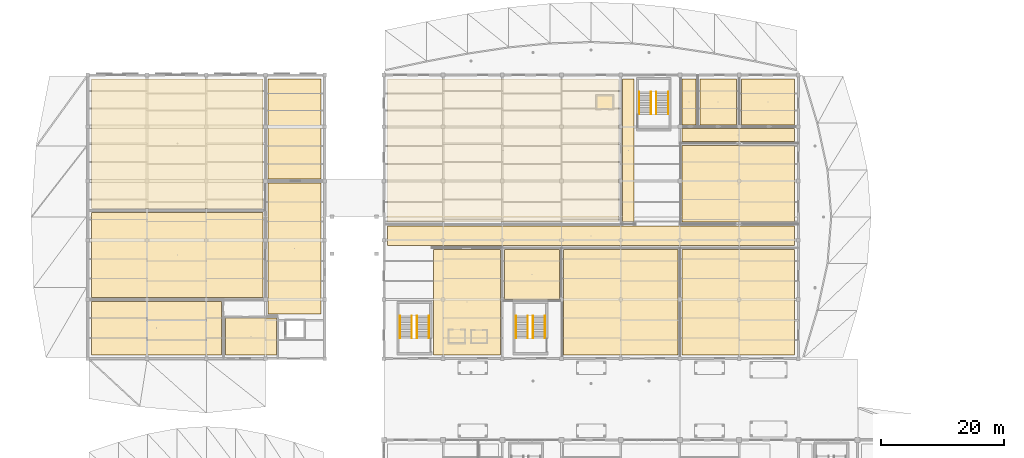
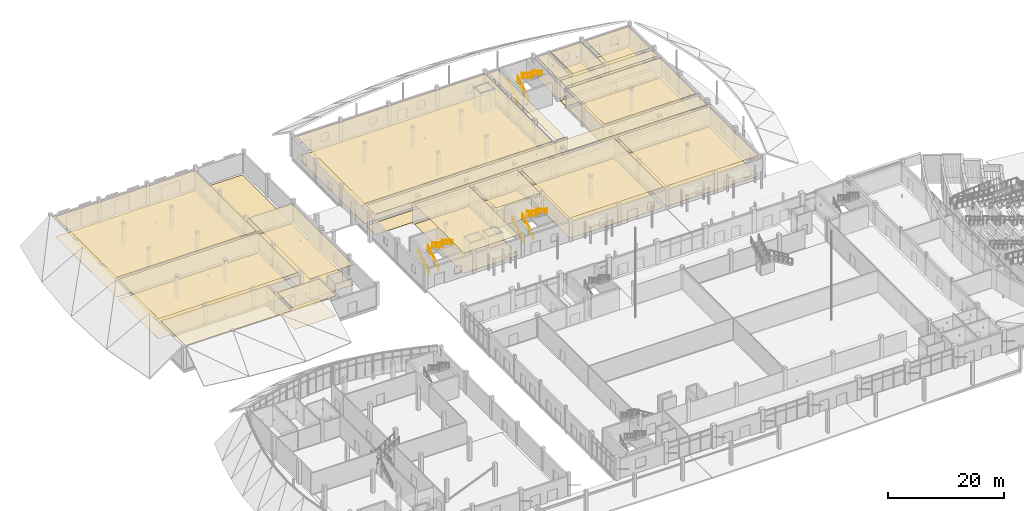
# One storey, part 109 of 116: 34 coverings, 12 railings, 3 elements without a shape of their own.
"""IFC4 building model written with IfcOpenShell, lengths in metres."""

import ifcopenshell
import ifcopenshell.guid

model = None  # the IFC model being written
_history = None  # IfcOwnerHistory: only IFC2X3 demands one
_inside = {}  # id of a spatial element -> (the spatial element, [elements in it])
_under = {}  # id of a project, library or spatial element -> (it, [spatial elements below it])
_declared = {}  # id of a project -> (the project, [libraries it declares])
_typed = {}  # id of a type object -> (the type object, [elements of that type])
_made_of = {}  # id of a material, layer set ... -> (it, [elements and type objects made of it])


def new_model(schema):
    """Start an empty IFC model of exactly this schema.

    Asked for "IFC4X3", IfcOpenShell would pick the latest addendum, in which some entities
    have other attributes; the version numbers below select the first issue.
    IFC2X3 requires an IfcOwnerHistory on every rooted entity: one is made here for all.
    """
    global model, _history
    if schema == "IFC4X3":
        model = ifcopenshell.file(schema_version=(4, 3, 0, 0))
    else:
        model = ifcopenshell.file(schema=schema)
    _inside.clear()
    _under.clear()
    _declared.clear()
    _typed.clear()
    _made_of.clear()
    _history = None
    if model.schema == "IFC2X3":
        org = make("IfcOrganization", Name="unknown")
        user = make(
            "IfcPersonAndOrganization",
            ThePerson=make("IfcPerson", FamilyName="unknown"),
            TheOrganization=org,
        )
        app = make(
            "IfcApplication",
            ApplicationDeveloper=org,
            Version="unknown",
            ApplicationFullName="unknown",
            ApplicationIdentifier="unknown",
        )
        _history = make(
            "IfcOwnerHistory",
            OwningUser=user,
            OwningApplication=app,
            ChangeAction="ADDED",
            CreationDate=0,
        )
    return model


def make(cls, **values):
    """One entity of the class cls with the attributes given. An attribute that is None is left unset."""
    return model.create_entity(
        cls, **{name: value for name, value in values.items() if value is not None}
    )


def rooted(cls, **values):
    """An entity with a GlobalId (a new one), such as an element, a storey or a relation."""
    return make(cls, GlobalId=ifcopenshell.guid.new(), OwnerHistory=_history, **values)


def si_unit(unit_type, name, prefix=None):
    """IfcSIUnit, for example si_unit("LENGTHUNIT", "METRE", prefix="MILLI")."""
    return make("IfcSIUnit", UnitType=unit_type, Prefix=prefix, Name=name)


def assignment(units):
    """IfcUnitAssignment: the units of a project."""
    return None if units is None else make("IfcUnitAssignment", Units=units)


def point(xyz):
    """IfcCartesianPoint."""
    return None if xyz is None else make("IfcCartesianPoint", Coordinates=xyz)


def direction(xyz):
    """IfcDirection."""
    return None if xyz is None else make("IfcDirection", DirectionRatios=xyz)


def frame(location, z_axis=None, x_axis=None):
    """IfcAxis2Placement3D, a coordinate frame: its origin and axes. An axis left out is left unset."""
    return make(
        "IfcAxis2Placement3D",
        Location=point(location),
        Axis=direction(z_axis),
        RefDirection=direction(x_axis),
    )


def frame_2d(location, x_axis=None):
    """IfcAxis2Placement2D, a coordinate frame in the plane: its origin and x axis."""
    return make(
        "IfcAxis2Placement2D", Location=point(location), RefDirection=direction(x_axis)
    )


def origin():
    """The frame at (0, 0, 0) with its axes left unset."""
    return frame((0.0, 0.0, 0.0))


def origin_2d():
    """The frame at (0, 0) in the plane with its x axis left unset."""
    return frame_2d((0.0, 0.0))


def place(relative_to, where):
    """IfcLocalPlacement: puts the frame where relative to a parent placement (None: the world)."""
    return make(
        "IfcLocalPlacement", PlacementRelTo=relative_to, RelativePlacement=where
    )


def context(
    kind, dimensions, precision=None, world=None, true_north=None, identifier=None
):
    """IfcGeometricRepresentationContext, for example the 3D "Model" context."""
    return make(
        "IfcGeometricRepresentationContext",
        ContextIdentifier=identifier,
        ContextType=kind,
        CoordinateSpaceDimension=dimensions,
        Precision=precision,
        WorldCoordinateSystem=world,
        TrueNorth=true_north,
    )


def subcontext(parent, identifier, kind, view, scale=None):
    """IfcGeometricRepresentationSubContext, for example "Body" below "Model"."""
    return make(
        "IfcGeometricRepresentationSubContext",
        ContextIdentifier=identifier,
        ContextType=kind,
        ParentContext=parent,
        TargetScale=scale,
        TargetView=view,
    )


def project(units=None, contexts=None):
    """IfcProject with its units and contexts."""
    return rooted(
        "IfcProject",
        Name="project",
        RepresentationContexts=contexts,
        UnitsInContext=assignment(units),
    )


def spatial(cls, under=None, at=None, **own):
    """A site, building, storey or space (cls), placed at a placement, below another one or the project."""
    s = rooted(cls, ObjectPlacement=at, **own)
    if under is not None:
        _under.setdefault(under.id(), (under, []))[1].append(s)
    return s


def polyline(points):
    """IfcPolyline through the points."""
    return make("IfcPolyline", Points=[point(p) for p in points])


def profile(cls, at=None, kind="AREA", **sizes):
    """A parametric profile (cls). Its sizes go by their IFC names, for example OverallWidth=200.0."""
    return make(cls, ProfileType=kind, Position=at, **sizes)


def circle(**sizes):
    """IfcCircleProfileDef."""
    return profile("IfcCircleProfileDef", **sizes)


def outline(outer, holes=None, kind="AREA"):
    """IfcArbitraryClosedProfileDef: a profile drawn as a closed curve; with holes, ...WithVoids."""
    if holes is None:
        return make("IfcArbitraryClosedProfileDef", ProfileType=kind, OuterCurve=outer)
    return make(
        "IfcArbitraryProfileDefWithVoids",
        ProfileType=kind,
        OuterCurve=outer,
        InnerCurves=holes,
    )


def extrude(swept, where, along, depth):
    """IfcExtrudedAreaSolid: the profile swept, set in the frame where, extruded along a direction by depth."""
    return make(
        "IfcExtrudedAreaSolid",
        SweptArea=swept,
        Position=where,
        ExtrudedDirection=direction(along),
        Depth=depth,
    )


def shape(context_of_items, identifier, shape_type, items):
    """IfcShapeRepresentation: the items that make up one representation, for example the "Body"."""
    return make(
        "IfcShapeRepresentation",
        ContextOfItems=context_of_items,
        RepresentationIdentifier=identifier,
        RepresentationType=shape_type,
        Items=items,
    )


def material(Name=None, Category=None):
    """IfcMaterial."""
    return make("IfcMaterial", Name=Name, Category=Category)


def layer(
    of_material, thickness, ventilated=None, Name=None, Category=None, Priority=None
):
    """IfcMaterialLayer: one layer of a wall or slab, of a material (None: an air gap)."""
    return make(
        "IfcMaterialLayer",
        Material=of_material,
        LayerThickness=thickness,
        IsVentilated=ventilated,
        Name=Name,
        Category=Category,
        Priority=Priority,
    )


def layer_set(layers, Name=None):
    """IfcMaterialLayerSet."""
    return make("IfcMaterialLayerSet", MaterialLayers=layers, LayerSetName=Name)


def made_of(thing, what):
    """Note that an element or type object is made of a material, layer set ...; save() writes the relation."""
    if what is not None:
        _made_of.setdefault(what.id(), (what, []))[1].append(thing)
    return thing


def type_object(cls, material=None, **own):
    """A type object (cls), such as IfcWallType, which elements share."""
    return made_of(rooted(cls, **own), material)


def element(
    cls,
    number,
    at=None,
    inside=None,
    cuts=None,
    type_object=None,
    material=None,
    context=None,
    identifier="Body",
    shape_type=None,
    held_by="IfcProductDefinitionShape",
    body=None,
    shapes=None,
    **own,
):
    """One element of the class cls, such as IfcWall. Its Tag is "e" and its number.

    at: its placement. inside: the storey or other place that contains it. cuts: it is an
    opening in that element (IfcRelVoidsElement). A single representation is given by context,
    identifier, shape_type and body (its items); several are given by shapes. held_by: the class
    of the entity that holds the representations. save() writes the other relations.
    """
    e = rooted(cls, Tag="e%d" % number, ObjectPlacement=at, **own)
    if body is not None:
        shapes = [shape(context, identifier, shape_type, body)]
    if shapes is not None:
        e.Representation = make(held_by, Representations=shapes)
    if inside is not None:
        _inside.setdefault(inside.id(), (inside, []))[1].append(e)
    if cuts is not None:
        rooted(
            "IfcRelVoidsElement", RelatingBuildingElement=cuts, RelatedOpeningElement=e
        )
    if type_object is not None:
        _typed.setdefault(type_object.id(), (type_object, []))[1].append(e)
    return made_of(e, material)


def aggregate(whole, parts):
    """IfcRelAggregates: a whole, such as a stair, and the parts it consists of."""
    return rooted("IfcRelAggregates", RelatingObject=whole, RelatedObjects=parts)


def save(model, path):
    """Write the relations noted so far, then the file.

    IfcRelAggregates (storeys below a building ...), IfcRelContainedInSpatialStructure (elements
    in a storey), IfcRelDefinesByType, IfcRelAssociatesMaterial and IfcRelDeclares: one each for
    every whole, place, type object, material and project.
    """
    for whole, parts in _under.values():
        aggregate(whole, parts)
    for where, things in _inside.values():
        rooted(
            "IfcRelContainedInSpatialStructure",
            RelatedElements=things,
            RelatingStructure=where,
        )
    for kind, things in _typed.values():
        rooted("IfcRelDefinesByType", RelatedObjects=things, RelatingType=kind)
    for what, things in _made_of.values():
        rooted("IfcRelAssociatesMaterial", RelatedObjects=things, RelatingMaterial=what)
    for by, libraries in _declared.values():
        rooted("IfcRelDeclares", RelatingContext=by, RelatedDefinitions=libraries)
    model.write(path)


model = new_model("IFC4")

# Units and contexts
model_context = context("Model", 3, precision=1e-05, world=origin(), true_north=direction((0.0, 1.0)))
body_context = subcontext(model_context, "Body", "Model", "MODEL_VIEW")
ifc_project = project(units=[si_unit("LENGTHUNIT", "METRE"), si_unit("AREAUNIT", "SQUARE_METRE"), si_unit("VOLUMEUNIT", "CUBIC_METRE"), si_unit("PLANEANGLEUNIT", "RADIAN"), si_unit("MASSUNIT", "GRAM", prefix="KILO")], contexts=[model_context])

# Site, building, storey
site_placement = place(None, origin())
site = spatial("IfcSite", under=ifc_project, at=site_placement, CompositionType="ELEMENT")
building_placement = place(site_placement, origin())
building = spatial("IfcBuilding", under=site, at=building_placement, Name="Chalmorin Arch Market", CompositionType="ELEMENT")
storey_placement = place(building_placement, origin())
storey = spatial("IfcBuildingStorey", under=building, at=storey_placement, Name="L00", CompositionType="ELEMENT", Elevation=0.0)

# Coverings
ifc_material_1 = material(Name="Mineral Fibre Acoustic Tile")
ifc_layer_1 = layer(ifc_material_1, 0.044921875)
ifc_layer_set_1 = layer_set([ifc_layer_1], Name="Mineral Fibre Acoustic Tile")
covering_type_1 = type_object("IfcCoveringType", Name="AcousticBaffleCeiling-45", PredefinedType="CEILING", material=ifc_layer_set_1)
covering_1_placement = place(storey_placement, frame((0.0, 0.0, 4.18505859375)))
element("IfcCovering", 1, at=covering_1_placement, inside=storey, type_object=covering_type_1, Name="CLG-01-106", PredefinedType="CEILING", context=body_context, shape_type="SweptSolid", body=[
    extrude(outline(polyline([(0.6201171875, 96.320068359375), (28.3798828125, 96.320068359375), (28.3798828125, 117.3798828125), (0.6201171875, 117.3798828125), (0.6201171875, 96.320068359375)])), origin(), (0.0, 0.0, 1.0), 0.044921875),
])
covering_2_placement = place(storey_placement, frame((0.0, 0.0, 4.18505859375)))
element("IfcCovering", 2, at=covering_2_placement, inside=storey, type_object=covering_type_1, Name="CLG-01-108", PredefinedType="CEILING", context=body_context, shape_type="SweptSolid", body=[
    extrude(outline(polyline([(0.6201171875, 81.919921875), (28.3798828125, 81.919921875), (28.3798828125, 95.679931640625), (0.6201171875, 95.679931640625), (0.6201171875, 81.919921875)])), origin(), (0.0, 0.0, 1.0), 0.044921875),
])
covering_3_placement = place(storey_placement, frame((0.0, 0.0, 4.18505859375)))
element("IfcCovering", 3, at=covering_3_placement, inside=storey, type_object=covering_type_1, Name="CLG-01-110", PredefinedType="CEILING", context=body_context, shape_type="SweptSolid", body=[
    extrude(outline(polyline([(0.6201171875, 72.6201171875), (21.679931640625, 72.6201171875), (21.679931640625, 81.280029296875), (0.6201171875, 81.280029296875), (0.6201171875, 72.6201171875)])), origin(), (0.0, 0.0, 1.0), 0.044921875),
])
covering_4_placement = place(storey_placement, frame((0.0, 0.0, 4.18505859375)))
element("IfcCovering", 4, at=covering_4_placement, inside=storey, type_object=covering_type_1, Name="CLG-01-112", PredefinedType="CEILING", context=body_context, shape_type="SweptSolid", body=[
    extrude(outline(polyline([(22.320068359375, 72.6201171875), (30.580078125, 72.6201171875), (30.580078125, 78.580078125), (22.320068359375, 78.580078125), (22.320068359375, 72.6201171875)])), origin(), (0.0, 0.0, 1.0), 0.044921875),
])
covering_5_placement = place(storey_placement, frame((0.0, 0.0, 4.18505859375)))
element("IfcCovering", 5, at=covering_5_placement, inside=storey, type_object=covering_type_1, Name="CLG-01-115", PredefinedType="CEILING", context=body_context, shape_type="SweptSolid", body=[
    extrude(outline(polyline([(29.219970703125, 79.219970703125), (37.780029296875, 79.219970703125), (37.780029296875, 100.47998046875), (29.219970703125, 100.47998046875), (29.219970703125, 79.219970703125)])), origin(), (0.0, 0.0, 1.0), 0.044921875),
])
covering_6_placement = place(storey_placement, frame((0.0, 0.0, 4.235107421875)))
element("IfcCovering", 6, at=covering_6_placement, inside=storey, type_object=covering_type_1, Name="CLG-01-117", PredefinedType="CEILING", context=body_context, shape_type="SweptSolid", body=[
    extrude(outline(polyline([(56.02001953125, 72.6201171875), (66.8798828125, 72.6201171875), (66.8798828125, 89.679931640625), (56.02001953125, 89.679931640625), (56.02001953125, 72.6201171875)])), origin(), (0.0, 0.0, 1.0), 0.044921875),
])
covering_7_placement = place(storey_placement, frame((0.0, 0.0, 4.235107421875)))
element("IfcCovering", 7, at=covering_7_placement, inside=storey, type_object=covering_type_1, Name="CLG-01-119", PredefinedType="CEILING", context=body_context, shape_type="SweptSolid", body=[
    extrude(outline(polyline([(67.52001953125, 81.6201171875), (76.47998046875, 81.6201171875), (76.47998046875, 89.679931640625), (67.52001953125, 89.679931640625), (67.52001953125, 81.6201171875)])), origin(), (0.0, 0.0, 1.0), 0.044921875),
])
covering_8_placement = place(storey_placement, frame((0.0, 0.0, 4.235107421875)))
element("IfcCovering", 8, at=covering_8_placement, inside=storey, type_object=covering_type_1, Name="CLG-01-121", PredefinedType="CEILING", context=body_context, shape_type="SweptSolid", body=[
    extrude(outline(polyline([(77.1201171875, 72.6201171875), (95.679931640625, 72.6201171875), (95.679931640625, 89.679931640625), (77.1201171875, 89.679931640625), (77.1201171875, 72.6201171875)])), origin(), (0.0, 0.0, 1.0), 0.044921875),
])
covering_9_placement = place(storey_placement, frame((0.0, 0.0, 4.235107421875)))
element("IfcCovering", 9, at=covering_9_placement, inside=storey, type_object=covering_type_1, Name="CLG-01-123", PredefinedType="CEILING", context=body_context, shape_type="SweptSolid", body=[
    extrude(outline(polyline([(96.320068359375, 72.6201171875), (114.580078125, 72.6201171875), (114.580078125, 89.679931640625), (96.320068359375, 89.679931640625), (96.320068359375, 72.6201171875)])), origin(), (0.0, 0.0, 1.0), 0.044921875),
])
covering_10_placement = place(storey_placement, frame((0.0, 0.0, 4.235107421875)))
element("IfcCovering", 10, at=covering_10_placement, inside=storey, type_object=covering_type_1, Name="CLG-01-125", PredefinedType="CEILING", context=body_context, shape_type="SweptSolid", body=[
    extrude(outline(polyline([(48.6201171875, 90.320068359375), (114.580078125, 90.320068359375), (114.580078125, 93.47998046875), (48.6201171875, 93.47998046875), (48.6201171875, 90.320068359375)])), origin(), (0.0, 0.0, 1.0), 0.044921875),
])
covering_11_placement = place(storey_placement, frame((0.0, 0.0, 4.235107421875)))
element("IfcCovering", 11, at=covering_11_placement, inside=storey, type_object=covering_type_1, Name="CLG-01-127", PredefinedType="CEILING", context=body_context, shape_type="SweptSolid", body=[
    extrude(outline(polyline([(86.719970703125, 94.1201171875), (88.580078125, 94.1201171875), (88.580078125, 117.3798828125), (86.719970703125, 117.3798828125), (86.719970703125, 94.1201171875)])), origin(), (0.0, 0.0, 1.0), 0.044921875),
])
covering_12_placement = place(storey_placement, frame((0.0, 0.0, 4.235107421875)))
element("IfcCovering", 12, at=covering_12_placement, inside=storey, type_object=covering_type_1, Name="CLG-01-129", PredefinedType="CEILING", context=body_context, shape_type="SweptSolid", body=[
    extrude(outline(polyline([(48.6201171875, 94.1201171875), (86.080078125, 94.1201171875), (86.080078125, 117.3798828125), (48.6201171875, 117.3798828125), (48.6201171875, 94.1201171875)])), origin(), (0.0, 0.0, 1.0), 0.044921875),
])
covering_13_placement = place(storey_placement, frame((0.0, 0.0, 4.235107421875)))
element("IfcCovering", 13, at=covering_13_placement, inside=storey, type_object=covering_type_1, Name="CLG-01-131", PredefinedType="CEILING", context=body_context, shape_type="SweptSolid", body=[
    extrude(outline(polyline([(96.320068359375, 94.1201171875), (114.580078125, 94.1201171875), (114.580078125, 106.580078125), (96.320068359375, 106.580078125), (96.320068359375, 94.1201171875)])), origin(), (0.0, 0.0, 1.0), 0.044921875),
])
covering_14_placement = place(storey_placement, frame((0.0, 0.0, 4.235107421875)))
element("IfcCovering", 14, at=covering_14_placement, inside=storey, type_object=covering_type_1, Name="CLG-01-133", PredefinedType="CEILING", context=body_context, shape_type="SweptSolid", body=[
    extrude(outline(polyline([(96.320068359375, 107.219970703125), (114.580078125, 107.219970703125), (114.580078125, 109.280029296875), (96.320068359375, 109.280029296875), (96.320068359375, 107.219970703125)])), origin(), (0.0, 0.0, 1.0), 0.044921875),
])
ifc_material_2 = material(Name="Epoxy Resin Flooring")
ifc_layer_2 = layer(ifc_material_2, 0.02001953125)
ifc_layer_set_2 = layer_set([ifc_layer_2], Name="Epoxy Resin Flooring")
covering_type_2 = type_object("IfcCoveringType", Name="EpoxySlipResistantKitchenFloor-20", PredefinedType="FLOORING", material=ifc_layer_set_2)
covering_15_placement = place(storey_placement, origin())
element("IfcCovering", 15, at=covering_15_placement, inside=storey, type_object=covering_type_2, Name="FLR-02-107", PredefinedType="FLOORING", context=body_context, shape_type="SweptSolid", body=[
    extrude(outline(polyline([(0.6201171875, 81.919921875), (28.3798828125, 81.919921875), (28.3798828125, 95.679931640625), (0.6201171875, 95.679931640625), (0.6201171875, 81.919921875)])), origin(), (0.0, 0.0, 1.0), 0.02001953125),
])
covering_16_placement = place(storey_placement, origin())
element("IfcCovering", 16, at=covering_16_placement, inside=storey, type_object=covering_type_2, Name="FLR-02-118", PredefinedType="FLOORING", context=body_context, shape_type="SweptSolid", body=[
    extrude(outline(polyline([(67.52001953125, 81.6201171875), (76.47998046875, 81.6201171875), (76.47998046875, 89.679931640625), (67.52001953125, 89.679931640625), (67.52001953125, 81.6201171875)])), origin(), (0.0, 0.0, 1.0), 0.02001953125),
])
covering_17_placement = place(storey_placement, origin())
element("IfcCovering", 17, at=covering_17_placement, inside=storey, type_object=covering_type_2, Name="FLR-02-120", PredefinedType="FLOORING", context=body_context, shape_type="SweptSolid", body=[
    extrude(outline(polyline([(77.1201171875, 72.6201171875), (95.679931640625, 72.6201171875), (95.679931640625, 89.679931640625), (77.1201171875, 89.679931640625), (77.1201171875, 72.6201171875)])), origin(), (0.0, 0.0, 1.0), 0.02001953125),
])
covering_18_placement = place(storey_placement, origin())
element("IfcCovering", 18, at=covering_18_placement, inside=storey, type_object=covering_type_2, Name="FLR-02-122", PredefinedType="FLOORING", context=body_context, shape_type="SweptSolid", body=[
    extrude(outline(polyline([(96.320068359375, 72.6201171875), (114.580078125, 72.6201171875), (114.580078125, 89.679931640625), (96.320068359375, 89.679931640625), (96.320068359375, 72.6201171875)])), origin(), (0.0, 0.0, 1.0), 0.02001953125),
])
ifc_material_3 = material(Name="Gypsum Board Partition")
ifc_layer_3 = layer(ifc_material_3, 0.030029296875)
ifc_layer_set_3 = layer_set([ifc_layer_3], Name="Gypsum Board Partition")
covering_type_3 = type_object("IfcCoveringType", Name="MoistureResistantGypsumCeiling-30", PredefinedType="CEILING", material=ifc_layer_set_3)
covering_19_placement = place(storey_placement, frame((0.0, 0.0, 4.25)))
element("IfcCovering", 19, at=covering_19_placement, inside=storey, type_object=covering_type_3, Name="CLG-03-135", PredefinedType="CEILING", context=body_context, shape_type="SweptSolid", body=[
    extrude(outline(polyline([(96.320068359375, 109.919921875), (98.580078125, 109.919921875), (98.580078125, 117.3798828125), (96.320068359375, 117.3798828125), (96.320068359375, 109.919921875)])), origin(), (0.0, 0.0, 1.0), 0.030029296875),
])
covering_20_placement = place(storey_placement, frame((0.0, 0.0, 4.25)))
element("IfcCovering", 20, at=covering_20_placement, inside=storey, type_object=covering_type_3, Name="CLG-03-137", PredefinedType="CEILING", context=body_context, shape_type="SweptSolid", body=[
    extrude(outline(polyline([(99.219970703125, 109.919921875), (105.179931640625, 109.919921875), (105.179931640625, 117.3798828125), (99.219970703125, 117.3798828125), (99.219970703125, 109.919921875)])), origin(), (0.0, 0.0, 1.0), 0.030029296875),
])
covering_21_placement = place(storey_placement, frame((0.0, 0.0, 4.25)))
element("IfcCovering", 21, at=covering_21_placement, inside=storey, type_object=covering_type_3, Name="CLG-03-139", PredefinedType="CEILING", context=body_context, shape_type="SweptSolid", body=[
    extrude(outline(polyline([(106.02001953125, 109.919921875), (114.580078125, 109.919921875), (114.580078125, 117.3798828125), (106.02001953125, 117.3798828125), (106.02001953125, 109.919921875)])), origin(), (0.0, 0.0, 1.0), 0.030029296875),
])
ifc_material_4 = material(Name="Ceramic Porcelain Tile")
ifc_layer_4 = layer(ifc_material_4, 0.01806640625)
ifc_layer_set_4 = layer_set([ifc_layer_4], Name="Ceramic Porcelain Tile")
covering_type_4 = type_object("IfcCoveringType", Name="PorcelainRestroomTileFloor-18", PredefinedType="FLOORING", material=ifc_layer_set_4)
covering_22_placement = place(storey_placement, origin())
element("IfcCovering", 22, at=covering_22_placement, inside=storey, type_object=covering_type_4, Name="FLR-03-134", PredefinedType="FLOORING", context=body_context, shape_type="SweptSolid", body=[
    extrude(outline(polyline([(96.320068359375, 109.919921875), (98.580078125, 109.919921875), (98.580078125, 117.3798828125), (96.320068359375, 117.3798828125), (96.320068359375, 109.919921875)])), origin(), (0.0, 0.0, 1.0), 0.01806640625),
])
covering_23_placement = place(storey_placement, origin())
element("IfcCovering", 23, at=covering_23_placement, inside=storey, type_object=covering_type_4, Name="FLR-03-136", PredefinedType="FLOORING", context=body_context, shape_type="SweptSolid", body=[
    extrude(outline(polyline([(99.219970703125, 109.919921875), (105.179931640625, 109.919921875), (105.179931640625, 117.3798828125), (99.219970703125, 117.3798828125), (99.219970703125, 109.919921875)])), origin(), (0.0, 0.0, 1.0), 0.01806640625),
])
covering_24_placement = place(storey_placement, origin())
element("IfcCovering", 24, at=covering_24_placement, inside=storey, type_object=covering_type_4, Name="FLR-03-138", PredefinedType="FLOORING", context=body_context, shape_type="SweptSolid", body=[
    extrude(outline(polyline([(106.02001953125, 109.919921875), (114.580078125, 109.919921875), (114.580078125, 117.3798828125), (106.02001953125, 117.3798828125), (106.02001953125, 109.919921875)])), origin(), (0.0, 0.0, 1.0), 0.01806640625),
])

# Stair, railings
ifc_material_5 = material(Name="Concrete C40/50", Category="concrete")
stair_type_1 = type_object("IfcStairType", Name="DoglegExitStair-28R-SC5", PredefinedType="HALF_TURN_STAIR", material=ifc_material_5)
stair_1_placement = place(storey_placement, origin())
stair_1 = element("IfcStair", 25, at=stair_1_placement, inside=storey, type_object=stair_type_1, Name="ST-12", PredefinedType="HALF_TURN_STAIR")
ifc_material_6 = material(Name="Stainless Steel 316", Category="steel")
ifc_layer_5 = layer(ifc_material_6, 0.048095703125)
ifc_layer_set_5 = layer_set([ifc_layer_5], Name="Stainless Steel 316")
railing_type_1 = type_object("IfcRailingType", Name="StairTubeHandrail-920", PredefinedType="HANDRAIL", material=ifc_layer_set_5)
railing_1_placement = place(storey_placement, frame((50.60009765625, 75.31005859375, 0.17138671875)))
railing_1 = element("IfcRailing", 26, at=railing_1_placement, type_object=railing_type_1, Name="HR-01-050", PredefinedType="HANDRAIL", context=body_context, shape_type="SweptSolid", body=[
    extrude(circle(Radius=0.02392578125, at=origin_2d()), frame((0.0, 0.0, 0.89599609375), z_axis=(0.0, 0.852850264322, 0.5221555579), x_axis=(-1.0, 0.0, 0.0)), (0.0, 0.0, 1.0), 4.267822265625),
    extrude(circle(Radius=0.02099609375, at=origin_2d()), origin(), (0.0, 0.0, 1.0), 0.871826171875),
    extrude(circle(Radius=0.02099609375, at=origin_2d()), frame((0.0, 0.909912109375, 0.55712890625)), (0.0, 0.0, 1.0), 0.871826171875),
    extrude(circle(Radius=0.02099609375, at=origin_2d()), frame((0.0, 1.81982421875, 1.1142578125)), (0.0, 0.0, 1.0), 0.871826171875),
    extrude(circle(Radius=0.02099609375, at=origin_2d()), frame((0.0, 2.72998046875, 1.67138671875)), (0.0, 0.0, 1.0), 0.871826171875),
    extrude(circle(Radius=0.02099609375, at=origin_2d()), frame((0.0, 3.639892578125, 2.228515625)), (0.0, 0.0, 1.0), 0.871826171875),
])
railing_2_placement = place(storey_placement, frame((55.300048828125, 78.949951171875, 2.5712890625)))
railing_2 = element("IfcRailing", 27, at=railing_2_placement, type_object=railing_type_1, Name="HR-01-053", PredefinedType="HANDRAIL", context=body_context, shape_type="SweptSolid", body=[
    extrude(circle(Radius=0.02392578125, at=origin_2d()), frame((0.0, 0.0, 0.89599609375), z_axis=(0.0, -0.852824790078, 0.522197163366), x_axis=(1.0, 0.0, 0.0)), (0.0, 0.0, 1.0), 4.26806640625),
    extrude(circle(Radius=0.02099609375, at=origin_2d()), origin(), (0.0, 0.0, 1.0), 0.871826171875),
    extrude(circle(Radius=0.02099609375, at=origin_2d()), frame((0.0, -0.909912109375, 0.55712890625)), (0.0, 0.0, 1.0), 0.871826171875),
    extrude(circle(Radius=0.02099609375, at=origin_2d()), frame((0.0, -1.81982421875, 1.1142578125)), (0.0, 0.0, 1.0), 0.871826171875),
    extrude(circle(Radius=0.02099609375, at=origin_2d()), frame((0.0, -2.72998046875, 1.671630859375)), (0.0, 0.0, 1.0), 0.871826171875),
    extrude(circle(Radius=0.02099609375, at=origin_2d()), frame((0.0, -3.639892578125, 2.228759765625)), (0.0, 0.0, 1.0), 0.871826171875),
])

stair_type_2 = type_object("IfcStairType", Name="DoglegExitStair-28R-SC6", PredefinedType="HALF_TURN_STAIR", material=ifc_material_5)
stair_2_placement = place(storey_placement, origin())
stair_2 = element("IfcStair", 28, at=stair_2_placement, inside=storey, type_object=stair_type_2, Name="ST-16", PredefinedType="HALF_TURN_STAIR")
railing_3_placement = place(storey_placement, frame((89.39990234375, 111.610107421875, 0.17138671875)))
railing_3 = element("IfcRailing", 29, at=railing_3_placement, type_object=railing_type_1, Name="HR-01-067", PredefinedType="HANDRAIL", context=body_context, shape_type="SweptSolid", body=[
    extrude(circle(Radius=0.02392578125, at=origin_2d()), frame((0.0, 0.0, 0.89599609375), z_axis=(0.0, 0.852850264322, 0.5221555579), x_axis=(-1.0, 0.0, 0.0)), (0.0, 0.0, 1.0), 4.267822265625),
    extrude(circle(Radius=0.02099609375, at=origin_2d()), origin(), (0.0, 0.0, 1.0), 0.871826171875),
    extrude(circle(Radius=0.02099609375, at=origin_2d()), frame((0.0, 0.909912109375, 0.55712890625)), (0.0, 0.0, 1.0), 0.871826171875),
    extrude(circle(Radius=0.02099609375, at=origin_2d()), frame((0.0, 1.81982421875, 1.1142578125)), (0.0, 0.0, 1.0), 0.871826171875),
    extrude(circle(Radius=0.02099609375, at=origin_2d()), frame((0.0, 2.72998046875, 1.67138671875)), (0.0, 0.0, 1.0), 0.871826171875),
    extrude(circle(Radius=0.02099609375, at=origin_2d()), frame((0.0, 3.639892578125, 2.228515625)), (0.0, 0.0, 1.0), 0.871826171875),
])
railing_4_placement = place(storey_placement, frame((94.10009765625, 115.25, 2.5712890625)))
railing_4 = element("IfcRailing", 30, at=railing_4_placement, type_object=railing_type_1, Name="HR-01-070", PredefinedType="HANDRAIL", context=body_context, shape_type="SweptSolid", body=[
    extrude(circle(Radius=0.02392578125, at=origin_2d()), frame((0.0, 0.0, 0.89599609375), z_axis=(0.0, -0.852824790078, 0.522197163366), x_axis=(1.0, 0.0, 0.0)), (0.0, 0.0, 1.0), 4.26806640625),
    extrude(circle(Radius=0.02099609375, at=origin_2d()), origin(), (0.0, 0.0, 1.0), 0.871826171875),
    extrude(circle(Radius=0.02099609375, at=origin_2d()), frame((0.0, -0.909912109375, 0.55712890625)), (0.0, 0.0, 1.0), 0.871826171875),
    extrude(circle(Radius=0.02099609375, at=origin_2d()), frame((0.0, -1.81982421875, 1.1142578125)), (0.0, 0.0, 1.0), 0.871826171875),
    extrude(circle(Radius=0.02099609375, at=origin_2d()), frame((0.0, -2.72998046875, 1.671630859375)), (0.0, 0.0, 1.0), 0.871826171875),
    extrude(circle(Radius=0.02099609375, at=origin_2d()), frame((0.0, -3.639892578125, 2.228759765625)), (0.0, 0.0, 1.0), 0.871826171875),
])

stair_type_3 = type_object("IfcStairType", Name="DoglegExitStair-28R-SC7", PredefinedType="HALF_TURN_STAIR", material=ifc_material_5)
stair_3_placement = place(storey_placement, origin())
stair_3 = element("IfcStair", 31, at=stair_3_placement, inside=storey, type_object=stair_type_3, Name="ST-20", PredefinedType="HALF_TURN_STAIR")
railing_5_placement = place(storey_placement, frame((69.39990234375, 75.31005859375, 0.17138671875)))
railing_5 = element("IfcRailing", 32, at=railing_5_placement, type_object=railing_type_1, Name="HR-01-084", PredefinedType="HANDRAIL", context=body_context, shape_type="SweptSolid", body=[
    extrude(circle(Radius=0.02392578125, at=origin_2d()), frame((0.0, 0.0, 0.89599609375), z_axis=(0.0, 0.852850264322, 0.5221555579), x_axis=(-1.0, 0.0, 0.0)), (0.0, 0.0, 1.0), 4.267822265625),
    extrude(circle(Radius=0.02099609375, at=origin_2d()), origin(), (0.0, 0.0, 1.0), 0.871826171875),
    extrude(circle(Radius=0.02099609375, at=origin_2d()), frame((0.0, 0.909912109375, 0.55712890625)), (0.0, 0.0, 1.0), 0.871826171875),
    extrude(circle(Radius=0.02099609375, at=origin_2d()), frame((0.0, 1.81982421875, 1.1142578125)), (0.0, 0.0, 1.0), 0.871826171875),
    extrude(circle(Radius=0.02099609375, at=origin_2d()), frame((0.0, 2.72998046875, 1.67138671875)), (0.0, 0.0, 1.0), 0.871826171875),
    extrude(circle(Radius=0.02099609375, at=origin_2d()), frame((0.0, 3.639892578125, 2.228515625)), (0.0, 0.0, 1.0), 0.871826171875),
])
railing_6_placement = place(storey_placement, frame((74.10009765625, 78.949951171875, 2.5712890625)))
railing_6 = element("IfcRailing", 33, at=railing_6_placement, type_object=railing_type_1, Name="HR-01-087", PredefinedType="HANDRAIL", context=body_context, shape_type="SweptSolid", body=[
    extrude(circle(Radius=0.02392578125, at=origin_2d()), frame((0.0, 0.0, 0.89599609375), z_axis=(0.0, -0.852824790078, 0.522197163366), x_axis=(1.0, 0.0, 0.0)), (0.0, 0.0, 1.0), 4.26806640625),
    extrude(circle(Radius=0.02099609375, at=origin_2d()), origin(), (0.0, 0.0, 1.0), 0.871826171875),
    extrude(circle(Radius=0.02099609375, at=origin_2d()), frame((0.0, -0.909912109375, 0.55712890625)), (0.0, 0.0, 1.0), 0.871826171875),
    extrude(circle(Radius=0.02099609375, at=origin_2d()), frame((0.0, -1.81982421875, 1.1142578125)), (0.0, 0.0, 1.0), 0.871826171875),
    extrude(circle(Radius=0.02099609375, at=origin_2d()), frame((0.0, -2.72998046875, 1.671630859375)), (0.0, 0.0, 1.0), 0.871826171875),
    extrude(circle(Radius=0.02099609375, at=origin_2d()), frame((0.0, -3.639892578125, 2.228759765625)), (0.0, 0.0, 1.0), 0.871826171875),
])

# Railing
ifc_material_7 = material(Name="Galvanised Steel", Category="steel")
ifc_layer_6 = layer(ifc_material_7, 0.054931640625)
ifc_layer_set_6 = layer_set([ifc_layer_6], Name="Galvanised Steel")
railing_type_2 = type_object("IfcRailingType", Name="StairWellGuardrail-1100", PredefinedType="GUARDRAIL", material=ifc_layer_set_6)
railing_7_placement = place(storey_placement, frame((52.530029296875, 75.31005859375, 0.17138671875)))
railing_7 = element("IfcRailing", 34, at=railing_7_placement, type_object=railing_type_2, Name="SG-01-051", PredefinedType="GUARDRAIL", context=body_context, shape_type="SweptSolid", body=[
    extrude(circle(Radius=0.02392578125, at=origin_2d()), frame((0.0, 0.0, 1.076171875), z_axis=(0.0, 0.852850264322, 0.5221555579), x_axis=(-1.0, 0.0, 0.0)), (0.0, 0.0, 1.0), 4.267822265625),
    extrude(circle(Radius=0.02099609375, at=origin_2d()), origin(), (0.0, 0.0, 1.0), 1.052001953125),
    extrude(circle(Radius=0.02099609375, at=origin_2d()), frame((0.0, 0.909912109375, 0.55712890625)), (0.0, 0.0, 1.0), 1.052001953125),
    extrude(circle(Radius=0.02099609375, at=origin_2d()), frame((0.0, 1.81982421875, 1.1142578125)), (0.0, 0.0, 1.0), 1.052001953125),
    extrude(circle(Radius=0.02099609375, at=origin_2d()), frame((0.0, 2.72998046875, 1.67138671875)), (0.0, 0.0, 1.0), 1.052001953125),
    extrude(circle(Radius=0.02099609375, at=origin_2d()), frame((0.0, 3.639892578125, 2.228515625)), (0.0, 0.0, 1.0), 1.052001953125),
])

railing_8_placement = place(storey_placement, frame((53.3701171875, 78.949951171875, 2.5712890625)))
railing_8 = element("IfcRailing", 35, at=railing_8_placement, type_object=railing_type_2, Name="SG-01-052", PredefinedType="GUARDRAIL", context=body_context, shape_type="SweptSolid", body=[
    extrude(circle(Radius=0.02392578125, at=origin_2d()), frame((0.0, 0.0, 1.076171875), z_axis=(0.0, -0.852824790078, 0.522197163366), x_axis=(1.0, 0.0, 0.0)), (0.0, 0.0, 1.0), 4.26806640625),
    extrude(circle(Radius=0.02099609375, at=origin_2d()), origin(), (0.0, 0.0, 1.0), 1.052001953125),
    extrude(circle(Radius=0.02099609375, at=origin_2d()), frame((0.0, -0.909912109375, 0.55712890625)), (0.0, 0.0, 1.0), 1.052001953125),
    extrude(circle(Radius=0.02099609375, at=origin_2d()), frame((0.0, -1.81982421875, 1.1142578125)), (0.0, 0.0, 1.0), 1.052001953125),
    extrude(circle(Radius=0.02099609375, at=origin_2d()), frame((0.0, -2.72998046875, 1.671630859375)), (0.0, 0.0, 1.0), 1.052001953125),
    extrude(circle(Radius=0.02099609375, at=origin_2d()), frame((0.0, -3.639892578125, 2.228759765625)), (0.0, 0.0, 1.0), 1.052001953125),
])

aggregate(stair_1, [railing_1, railing_7, railing_8, railing_2])

railing_9_placement = place(storey_placement, frame((91.330078125, 111.610107421875, 0.17138671875)))
railing_9 = element("IfcRailing", 36, at=railing_9_placement, type_object=railing_type_2, Name="SG-01-068", PredefinedType="GUARDRAIL", context=body_context, shape_type="SweptSolid", body=[
    extrude(circle(Radius=0.02392578125, at=origin_2d()), frame((0.0, 0.0, 1.076171875), z_axis=(0.0, 0.852850264322, 0.5221555579), x_axis=(-1.0, 0.0, 0.0)), (0.0, 0.0, 1.0), 4.267822265625),
    extrude(circle(Radius=0.02099609375, at=origin_2d()), origin(), (0.0, 0.0, 1.0), 1.052001953125),
    extrude(circle(Radius=0.02099609375, at=origin_2d()), frame((0.0, 0.909912109375, 0.55712890625)), (0.0, 0.0, 1.0), 1.052001953125),
    extrude(circle(Radius=0.02099609375, at=origin_2d()), frame((0.0, 1.81982421875, 1.1142578125)), (0.0, 0.0, 1.0), 1.052001953125),
    extrude(circle(Radius=0.02099609375, at=origin_2d()), frame((0.0, 2.72998046875, 1.67138671875)), (0.0, 0.0, 1.0), 1.052001953125),
    extrude(circle(Radius=0.02099609375, at=origin_2d()), frame((0.0, 3.639892578125, 2.228515625)), (0.0, 0.0, 1.0), 1.052001953125),
])

railing_10_placement = place(storey_placement, frame((92.169921875, 115.25, 2.5712890625)))
railing_10 = element("IfcRailing", 37, at=railing_10_placement, type_object=railing_type_2, Name="SG-01-069", PredefinedType="GUARDRAIL", context=body_context, shape_type="SweptSolid", body=[
    extrude(circle(Radius=0.02392578125, at=origin_2d()), frame((0.0, 0.0, 1.076171875), z_axis=(0.0, -0.852824790078, 0.522197163366), x_axis=(1.0, 0.0, 0.0)), (0.0, 0.0, 1.0), 4.26806640625),
    extrude(circle(Radius=0.02099609375, at=origin_2d()), origin(), (0.0, 0.0, 1.0), 1.052001953125),
    extrude(circle(Radius=0.02099609375, at=origin_2d()), frame((0.0, -0.909912109375, 0.55712890625)), (0.0, 0.0, 1.0), 1.052001953125),
    extrude(circle(Radius=0.02099609375, at=origin_2d()), frame((0.0, -1.81982421875, 1.1142578125)), (0.0, 0.0, 1.0), 1.052001953125),
    extrude(circle(Radius=0.02099609375, at=origin_2d()), frame((0.0, -2.72998046875, 1.671630859375)), (0.0, 0.0, 1.0), 1.052001953125),
    extrude(circle(Radius=0.02099609375, at=origin_2d()), frame((0.0, -3.639892578125, 2.228759765625)), (0.0, 0.0, 1.0), 1.052001953125),
])

aggregate(stair_2, [railing_3, railing_9, railing_10, railing_4])

railing_11_placement = place(storey_placement, frame((71.330078125, 75.31005859375, 0.17138671875)))
railing_11 = element("IfcRailing", 38, at=railing_11_placement, type_object=railing_type_2, Name="SG-01-085", PredefinedType="GUARDRAIL", context=body_context, shape_type="SweptSolid", body=[
    extrude(circle(Radius=0.02392578125, at=origin_2d()), frame((0.0, 0.0, 1.076171875), z_axis=(0.0, 0.852850264322, 0.5221555579), x_axis=(-1.0, 0.0, 0.0)), (0.0, 0.0, 1.0), 4.267822265625),
    extrude(circle(Radius=0.02099609375, at=origin_2d()), origin(), (0.0, 0.0, 1.0), 1.052001953125),
    extrude(circle(Radius=0.02099609375, at=origin_2d()), frame((0.0, 0.909912109375, 0.55712890625)), (0.0, 0.0, 1.0), 1.052001953125),
    extrude(circle(Radius=0.02099609375, at=origin_2d()), frame((0.0, 1.81982421875, 1.1142578125)), (0.0, 0.0, 1.0), 1.052001953125),
    extrude(circle(Radius=0.02099609375, at=origin_2d()), frame((0.0, 2.72998046875, 1.67138671875)), (0.0, 0.0, 1.0), 1.052001953125),
    extrude(circle(Radius=0.02099609375, at=origin_2d()), frame((0.0, 3.639892578125, 2.228515625)), (0.0, 0.0, 1.0), 1.052001953125),
])

railing_12_placement = place(storey_placement, frame((72.169921875, 78.949951171875, 2.5712890625)))
railing_12 = element("IfcRailing", 39, at=railing_12_placement, type_object=railing_type_2, Name="SG-01-086", PredefinedType="GUARDRAIL", context=body_context, shape_type="SweptSolid", body=[
    extrude(circle(Radius=0.02392578125, at=origin_2d()), frame((0.0, 0.0, 1.076171875), z_axis=(0.0, -0.852824790078, 0.522197163366), x_axis=(1.0, 0.0, 0.0)), (0.0, 0.0, 1.0), 4.26806640625),
    extrude(circle(Radius=0.02099609375, at=origin_2d()), origin(), (0.0, 0.0, 1.0), 1.052001953125),
    extrude(circle(Radius=0.02099609375, at=origin_2d()), frame((0.0, -0.909912109375, 0.55712890625)), (0.0, 0.0, 1.0), 1.052001953125),
    extrude(circle(Radius=0.02099609375, at=origin_2d()), frame((0.0, -1.81982421875, 1.1142578125)), (0.0, 0.0, 1.0), 1.052001953125),
    extrude(circle(Radius=0.02099609375, at=origin_2d()), frame((0.0, -2.72998046875, 1.671630859375)), (0.0, 0.0, 1.0), 1.052001953125),
    extrude(circle(Radius=0.02099609375, at=origin_2d()), frame((0.0, -3.639892578125, 2.228759765625)), (0.0, 0.0, 1.0), 1.052001953125),
])

aggregate(stair_3, [railing_5, railing_11, railing_12, railing_6])

# Coverings
ifc_material_8 = material(Name="Polished Terrazzo")
ifc_layer_7 = layer(ifc_material_8, 0.02490234375)
ifc_layer_set_7 = layer_set([ifc_layer_7], Name="Polished Terrazzo")
covering_type_5 = type_object("IfcCoveringType", Name="TerrazzoMarketFloorFinish-25", PredefinedType="FLOORING", material=ifc_layer_set_7)
covering_25_placement = place(storey_placement, origin())
element("IfcCovering", 40, at=covering_25_placement, inside=storey, type_object=covering_type_5, Name="FLR-01-105", PredefinedType="FLOORING", context=body_context, shape_type="SweptSolid", body=[
    extrude(outline(polyline([(0.6201171875, 96.320068359375), (28.3798828125, 96.320068359375), (28.3798828125, 117.3798828125), (0.6201171875, 117.3798828125), (0.6201171875, 96.320068359375)])), origin(), (0.0, 0.0, 1.0), 0.02490234375),
])
covering_26_placement = place(storey_placement, origin())
element("IfcCovering", 41, at=covering_26_placement, inside=storey, type_object=covering_type_5, Name="FLR-01-111", PredefinedType="FLOORING", context=body_context, shape_type="SweptSolid", body=[
    extrude(outline(polyline([(22.320068359375, 72.6201171875), (30.580078125, 72.6201171875), (30.580078125, 78.580078125), (22.320068359375, 78.580078125), (22.320068359375, 72.6201171875)])), origin(), (0.0, 0.0, 1.0), 0.02490234375),
])
covering_27_placement = place(storey_placement, origin())
element("IfcCovering", 42, at=covering_27_placement, inside=storey, type_object=covering_type_5, Name="FLR-01-113", PredefinedType="FLOORING", context=body_context, shape_type="SweptSolid", body=[
    extrude(outline(polyline([(29.219970703125, 101.1201171875), (37.780029296875, 101.1201171875), (37.780029296875, 117.3798828125), (29.219970703125, 117.3798828125), (29.219970703125, 101.1201171875)])), origin(), (0.0, 0.0, 1.0), 0.02490234375),
])
covering_28_placement = place(storey_placement, origin())
element("IfcCovering", 43, at=covering_28_placement, inside=storey, type_object=covering_type_5, Name="FLR-01-114", PredefinedType="FLOORING", context=body_context, shape_type="SweptSolid", body=[
    extrude(outline(polyline([(29.219970703125, 79.219970703125), (37.780029296875, 79.219970703125), (37.780029296875, 100.47998046875), (29.219970703125, 100.47998046875), (29.219970703125, 79.219970703125)])), origin(), (0.0, 0.0, 1.0), 0.02490234375),
])
covering_29_placement = place(storey_placement, origin())
element("IfcCovering", 44, at=covering_29_placement, inside=storey, type_object=covering_type_5, Name="FLR-01-116", PredefinedType="FLOORING", context=body_context, shape_type="SweptSolid", body=[
    extrude(outline(polyline([(56.02001953125, 72.6201171875), (66.8798828125, 72.6201171875), (66.8798828125, 89.679931640625), (56.02001953125, 89.679931640625), (56.02001953125, 72.6201171875)])), origin(), (0.0, 0.0, 1.0), 0.02490234375),
])
covering_30_placement = place(storey_placement, origin())
element("IfcCovering", 45, at=covering_30_placement, inside=storey, type_object=covering_type_5, Name="FLR-01-124", PredefinedType="FLOORING", context=body_context, shape_type="SweptSolid", body=[
    extrude(outline(polyline([(48.6201171875, 90.320068359375), (114.580078125, 90.320068359375), (114.580078125, 93.47998046875), (48.6201171875, 93.47998046875), (48.6201171875, 90.320068359375)])), origin(), (0.0, 0.0, 1.0), 0.02490234375),
])
covering_31_placement = place(storey_placement, origin())
element("IfcCovering", 46, at=covering_31_placement, inside=storey, type_object=covering_type_5, Name="FLR-01-126", PredefinedType="FLOORING", context=body_context, shape_type="SweptSolid", body=[
    extrude(outline(polyline([(86.719970703125, 94.1201171875), (88.580078125, 94.1201171875), (88.580078125, 117.3798828125), (86.719970703125, 117.3798828125), (86.719970703125, 94.1201171875)])), origin(), (0.0, 0.0, 1.0), 0.02490234375),
])
covering_32_placement = place(storey_placement, origin())
element("IfcCovering", 47, at=covering_32_placement, inside=storey, type_object=covering_type_5, Name="FLR-01-128", PredefinedType="FLOORING", context=body_context, shape_type="SweptSolid", body=[
    extrude(outline(polyline([(48.6201171875, 94.1201171875), (86.080078125, 94.1201171875), (86.080078125, 117.3798828125), (48.6201171875, 117.3798828125), (48.6201171875, 94.1201171875)])), origin(), (0.0, 0.0, 1.0), 0.02490234375),
])
covering_33_placement = place(storey_placement, origin())
element("IfcCovering", 48, at=covering_33_placement, inside=storey, type_object=covering_type_5, Name="FLR-01-130", PredefinedType="FLOORING", context=body_context, shape_type="SweptSolid", body=[
    extrude(outline(polyline([(96.320068359375, 94.1201171875), (114.580078125, 94.1201171875), (114.580078125, 106.580078125), (96.320068359375, 106.580078125), (96.320068359375, 94.1201171875)])), origin(), (0.0, 0.0, 1.0), 0.02490234375),
])
covering_34_placement = place(storey_placement, origin())
element("IfcCovering", 49, at=covering_34_placement, inside=storey, type_object=covering_type_5, Name="FLR-01-132", PredefinedType="FLOORING", context=body_context, shape_type="SweptSolid", body=[
    extrude(outline(polyline([(96.320068359375, 107.219970703125), (114.580078125, 107.219970703125), (114.580078125, 109.280029296875), (96.320068359375, 109.280029296875), (96.320068359375, 107.219970703125)])), origin(), (0.0, 0.0, 1.0), 0.02490234375),
])

save(model, "model.ifc")
